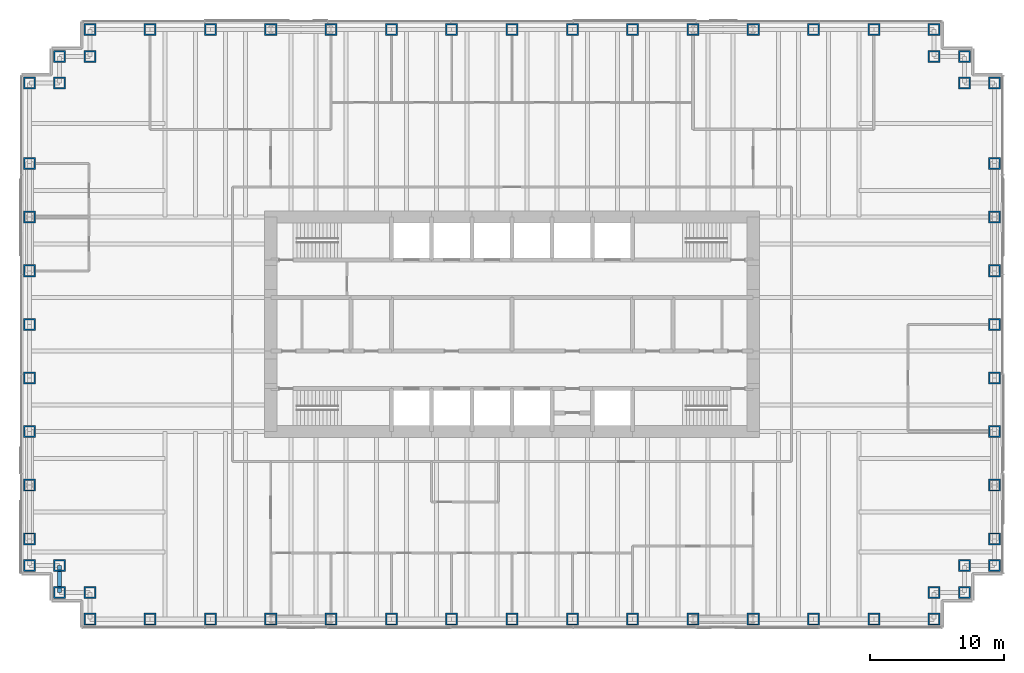
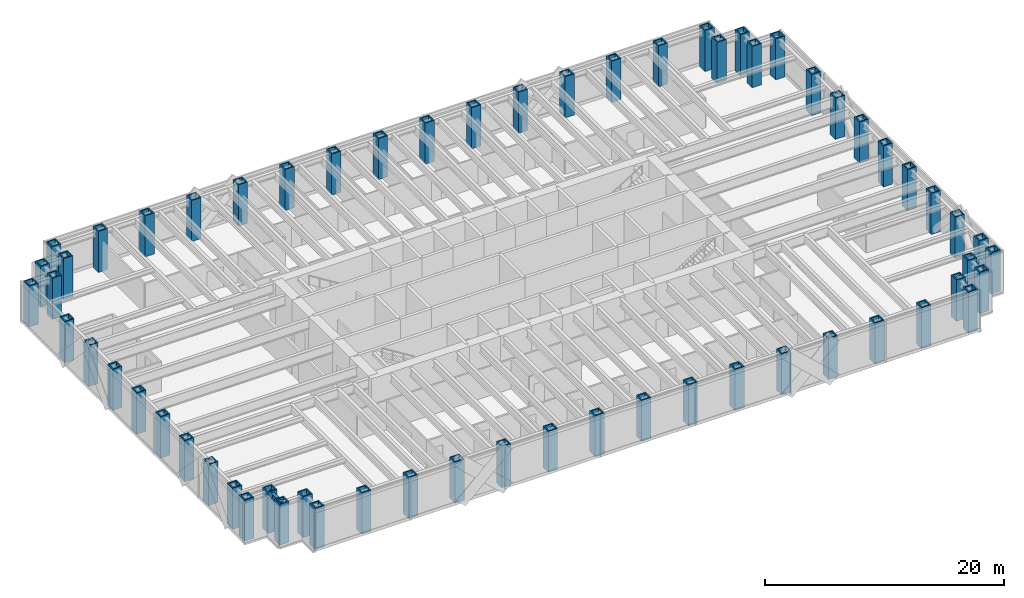
# One storey, part 1 of 15: 62 columns, 1 beam.
"""IFC4 building model written with IfcOpenShell, lengths in metres."""

from ifc_helpers import new_model, si_unit, direction, frame, origin, origin_2d, place, context, subcontext, project, spatial, hollow_rectangle, i_section, extrude, material, material_profile, profile_set, type_object, element, save


model = new_model("IFC4")

# Units and contexts
model_context = context("Model", 3, precision=1e-05, world=origin(), true_north=direction((0.0, 1.0)))
body_context = subcontext(model_context, "Body", "Model", "MODEL_VIEW")
ifc_project = project(units=[si_unit("LENGTHUNIT", "METRE"), si_unit("AREAUNIT", "SQUARE_METRE"), si_unit("VOLUMEUNIT", "CUBIC_METRE"), si_unit("PLANEANGLEUNIT", "RADIAN"), si_unit("MASSUNIT", "GRAM", prefix="KILO")], contexts=[model_context])

# Site, building, storey
site_placement = place(None, origin())
site = spatial("IfcSite", under=ifc_project, at=site_placement, CompositionType="ELEMENT")
building_placement = place(site_placement, origin())
building = spatial("IfcBuilding", under=site, at=building_placement, Name="Rheinbord Bourse Tower", CompositionType="ELEMENT")
storey_placement = place(building_placement, frame((0.0, 0.0, 108.89990234375)))
storey = spatial("IfcBuildingStorey", under=building, at=storey_placement, Name="L23", CompositionType="ELEMENT", Elevation=108.89990234375)

# Columns
ifc_material_1 = material(Name="Steel S460M", Category="steel")
ifc_material_profile_1 = material_profile(ifc_material_1, hollow_rectangle(XDim=0.89990234375, YDim=0.89990234375, WallThickness=0.110107421875, at=origin_2d()), Name="BOX 900x900x110")
ifc_profile_set_1 = profile_set([ifc_material_profile_1], Name="Steel S460M")
column_type = type_object("IfcColumnType", Name="TUBE COLUMN BOX 900x900x110", PredefinedType="COLUMN", material=ifc_profile_set_1)
for number, where, z_axis, x_axis, name in (
    (1, (4.5, 2.0, 0.0), (0.0, 0.0, 1.0), (0.0, 1.0, 0.0), "Column SW-E L23"),
    (2, (9.0, 2.0, 0.0), (0.0, 0.0, 1.0), (0.0, 1.0, 0.0), "Column S-9 L23"),
    (3, (13.5, 2.0, 0.0), (0.0, 0.0, 1.0), (0.0, 1.0, 0.0), "Column S-13.5 L23"),
    (4, (18.0, 2.0, 0.0), (0.0, 0.0, 1.0), (0.0, 1.0, 0.0), "Column S-18 L23"),
    (5, (22.5, 2.0, 0.0), (0.0, 0.0, 1.0), (0.0, 1.0, 0.0), "Column S-22.5 L23"),
    (6, (27.0, 2.0, 0.0), (0.0, 0.0, 1.0), (0.0, 1.0, 0.0), "Column S-27 L23"),
    (7, (31.5, 2.0, 0.0), (0.0, 0.0, 1.0), (0.0, 1.0, 0.0), "Column S-31.5 L23"),
    (8, (36.0, 2.0, 0.0), (0.0, 0.0, 1.0), (0.0, 1.0, 0.0), "Column S-36 L23"),
    (9, (40.5, 2.0, 0.0), (0.0, 0.0, 1.0), (0.0, 1.0, 0.0), "Column S-40.5 L23"),
    (10, (45.0, 2.0, 0.0), (0.0, 0.0, 1.0), (0.0, 1.0, 0.0), "Column S-45 L23"),
    (11, (49.5, 2.0, 0.0), (0.0, 0.0, 1.0), (0.0, 1.0, 0.0), "Column S-49.5 L23"),
    (12, (54.0, 2.0, 0.0), (0.0, 0.0, 1.0), (0.0, 1.0, 0.0), "Column S-54 L23"),
    (13, (58.5, 2.0, 0.0), (0.0, 0.0, 1.0), (0.0, 1.0, 0.0), "Column S-58.5 L23"),
    (14, (63.0, 2.0, 0.0), (0.0, 0.0, 1.0), (0.0, 1.0, 0.0), "Column S-63 L23"),
    (15, (67.5, 2.0, 0.0), (0.0, 0.0, 1.0), (0.0, 1.0, 0.0), "Column SE-E L23"),
    (16, (67.5, 4.0, 0.0), (0.0, 0.0, 1.0), (0.0, 1.0, 0.0), "Column SE-D L23"),
    (17, (69.75, 4.0, 0.0), (0.0, 0.0, 1.0), (1.0, 0.0, 0.0), "Column SE-C L23"),
    (18, (69.75, 6.0, 0.0), (0.0, 0.0, 1.0), (1.0, 0.0, 0.0), "Column SE-B L23"),
    (19, (72.0, 6.0, 0.0), (0.0, 0.0, 1.0), (1.0, 0.0, 0.0), "Column SE-A L23"),
    (20, (72.0, 8.0, 0.0), (0.0, 0.0, 1.0), (1.0, 0.0, 0.0), "Column E-8 L23"),
    (21, (72.0, 12.0, 0.0), (0.0, 0.0, 1.0), (1.0, 0.0, 0.0), "Column E-12 L23"),
    (22, (72.0, 16.0, 0.0), (0.0, 0.0, 1.0), (1.0, 0.0, 0.0), "Column E-16 L23"),
    (23, (72.0, 20.0, 0.0), (0.0, 0.0, 1.0), (1.0, 0.0, 0.0), "Column E-20 L23"),
    (24, (72.0, 24.0, 0.0), (0.0, 0.0, 1.0), (1.0, 0.0, 0.0), "Column E-24 L23"),
    (25, (72.0, 28.0, 0.0), (0.0, 0.0, 1.0), (1.0, 0.0, 0.0), "Column E-28 L23"),
    (26, (72.0, 32.0, 0.0), (0.0, 0.0, 1.0), (1.0, 0.0, 0.0), "Column E-32 L23"),
    (27, (72.0, 36.0, 0.0), (0.0, 0.0, 1.0), (1.0, 0.0, 0.0), "Column E-36 L23"),
    (28, (72.0, 42.0, 0.0), (0.0, 0.0, 1.0), (1.0, 0.0, 0.0), "Column NE-A L23"),
    (29, (69.75, 42.0, 0.0), (0.0, 0.0, 1.0), (1.0, 0.0, 0.0), "Column NE-B L23"),
    (30, (69.75, 44.0, 0.0), (0.0, 0.0, 1.0), (1.0, 0.0, 0.0), "Column NE-C L23"),
    (31, (67.5, 44.0, 0.0), (0.0, 0.0, 1.0), (0.0, 1.0, 0.0), "Column NE-D L23"),
    (32, (67.5, 46.0, 0.0), (0.0, 0.0, 1.0), (0.0, 1.0, 0.0), "Column NE-E L23"),
    (33, (63.0, 46.0, 0.0), (0.0, 0.0, 1.0), (0.0, 1.0, 0.0), "Column N-63 L23"),
    (34, (58.5, 46.0, 0.0), (0.0, 0.0, 1.0), (0.0, 1.0, 0.0), "Column N-58.5 L23"),
    (35, (54.0, 46.0, 0.0), (0.0, 0.0, 1.0), (0.0, 1.0, 0.0), "Column N-54 L23"),
    (36, (49.5, 46.0, 0.0), (0.0, 0.0, 1.0), (0.0, 1.0, 0.0), "Column N-49.5 L23"),
    (37, (45.0, 46.0, 0.0), (0.0, 0.0, 1.0), (0.0, 1.0, 0.0), "Column N-45 L23"),
    (38, (40.5, 46.0, 0.0), (0.0, 0.0, 1.0), (0.0, 1.0, 0.0), "Column N-40.5 L23"),
    (39, (36.0, 46.0, 0.0), (0.0, 0.0, 1.0), (0.0, 1.0, 0.0), "Column N-36 L23"),
    (40, (31.5, 46.0, 0.0), (0.0, 0.0, 1.0), (0.0, 1.0, 0.0), "Column N-31.5 L23"),
    (41, (27.0, 46.0, 0.0), (0.0, 0.0, 1.0), (0.0, 1.0, 0.0), "Column N-27 L23"),
    (42, (22.5, 46.0, 0.0), (0.0, 0.0, 1.0), (0.0, 1.0, 0.0), "Column N-22.5 L23"),
    (43, (18.0, 46.0, 0.0), (0.0, 0.0, 1.0), (0.0, 1.0, 0.0), "Column N-18 L23"),
    (44, (13.5, 46.0, 0.0), (0.0, 0.0, 1.0), (0.0, 1.0, 0.0), "Column N-13.5 L23"),
    (45, (9.0, 46.0, 0.0), (0.0, 0.0, 1.0), (0.0, 1.0, 0.0), "Column N-9 L23"),
    (46, (4.5, 46.0, 0.0), (0.0, 0.0, 1.0), (0.0, 1.0, 0.0), "Column NW-E L23"),
    (47, (4.5, 44.0, 0.0), (0.0, 0.0, 1.0), (0.0, 1.0, 0.0), "Column NW-D L23"),
    (48, (2.25, 44.0, 0.0), (0.0, 0.0, 1.0), (1.0, 0.0, 0.0), "Column NW-C L23"),
    (49, (2.25, 42.0, 0.0), (0.0, 0.0, 1.0), (1.0, 0.0, 0.0), "Column NW-B L23"),
    (50, (0.0, 42.0, 0.0), (0.0, 0.0, 1.0), (1.0, 0.0, 0.0), "Column NW-A L23"),
    (51, (0.0, 36.0, 0.0), (0.0, 0.0, 1.0), (1.0, 0.0, 0.0), "Column W-36 L23"),
    (52, (0.0, 32.0, 0.0), (0.0, 0.0, 1.0), (1.0, 0.0, 0.0), "Column W-32 L23"),
    (53, (0.0, 28.0, 0.0), (0.0, 0.0, 1.0), (1.0, 0.0, 0.0), "Column W-28 L23"),
    (54, (0.0, 24.0, 0.0), (0.0, 0.0, 1.0), (1.0, 0.0, 0.0), "Column W-24 L23"),
    (55, (0.0, 20.0, 0.0), (0.0, 0.0, 1.0), (1.0, 0.0, 0.0), "Column W-20 L23"),
    (56, (0.0, 16.0, 0.0), (0.0, 0.0, 1.0), (1.0, 0.0, 0.0), "Column W-16 L23"),
    (57, (0.0, 12.0, 0.0), (0.0, 0.0, 1.0), (1.0, 0.0, 0.0), "Column W-12 L23"),
    (58, (0.0, 8.0, 0.0), (0.0, 0.0, 1.0), (1.0, 0.0, 0.0), "Column W-8 L23"),
    (59, (0.0, 6.0, 0.0), (0.0, 0.0, 1.0), (1.0, 0.0, 0.0), "Column SW-A L23"),
    (60, (2.25, 6.0, 0.0), (0.0, 0.0, 1.0), (1.0, 0.0, 0.0), "Column SW-B L23"),
    (61, (2.25, 4.0, 0.0), (0.0, 0.0, 1.0), (1.0, 0.0, 0.0), "Column SW-C L23"),
    (62, (4.5, 4.0, 0.0), (0.0, 0.0, 1.0), (0.0, 1.0, 0.0), "Column SW-D L23"),
):
    element("IfcColumn", number, at=place(storey_placement, frame(where, z_axis=z_axis, x_axis=x_axis)), inside=storey, type_object=column_type, Name=name, PredefinedType="COLUMN", context=body_context, shape_type="SweptSolid", body=[
        extrude(hollow_rectangle(XDim=0.89990234375, YDim=0.89990234375, WallThickness=0.110107421875, at=origin_2d()), origin(), (0.0, 0.0, 1.0), 4.2001953125),
    ])

# Beam
ifc_material_2 = material(Name="Steel S460", Category="steel")
ifc_material_profile_2 = material_profile(ifc_material_2, i_section(OverallWidth=0.305908203125, OverallDepth=0.572021484375, WebThickness=0.02099609375, FlangeThickness=0.0400390625, at=origin_2d()), Name="HEM 550")
ifc_profile_set_2 = profile_set([ifc_material_profile_2], Name="Steel S460")
beam_type = type_object("IfcBeamType", Name="SPANDREL HEM 550", PredefinedType="SPANDREL", material=ifc_profile_set_2)
beam_placement = place(storey_placement, frame((2.25, 6.0, 3.754150390625), z_axis=(0.0, -1.0, 0.0), x_axis=(1.0, 0.0, 0.0)))
element("IfcBeam", 63, at=beam_placement, inside=storey, type_object=beam_type, Name="Spandrel SW-B-SW-C under L24", PredefinedType="SPANDREL", context=body_context, shape_type="SweptSolid", body=[
    extrude(i_section(OverallWidth=0.305908203125, OverallDepth=0.572021484375, WebThickness=0.02099609375, FlangeThickness=0.0400390625, at=origin_2d()), origin(), (0.0, 0.0, 1.0), 2.0),
])

save(model, "model.ifc")
